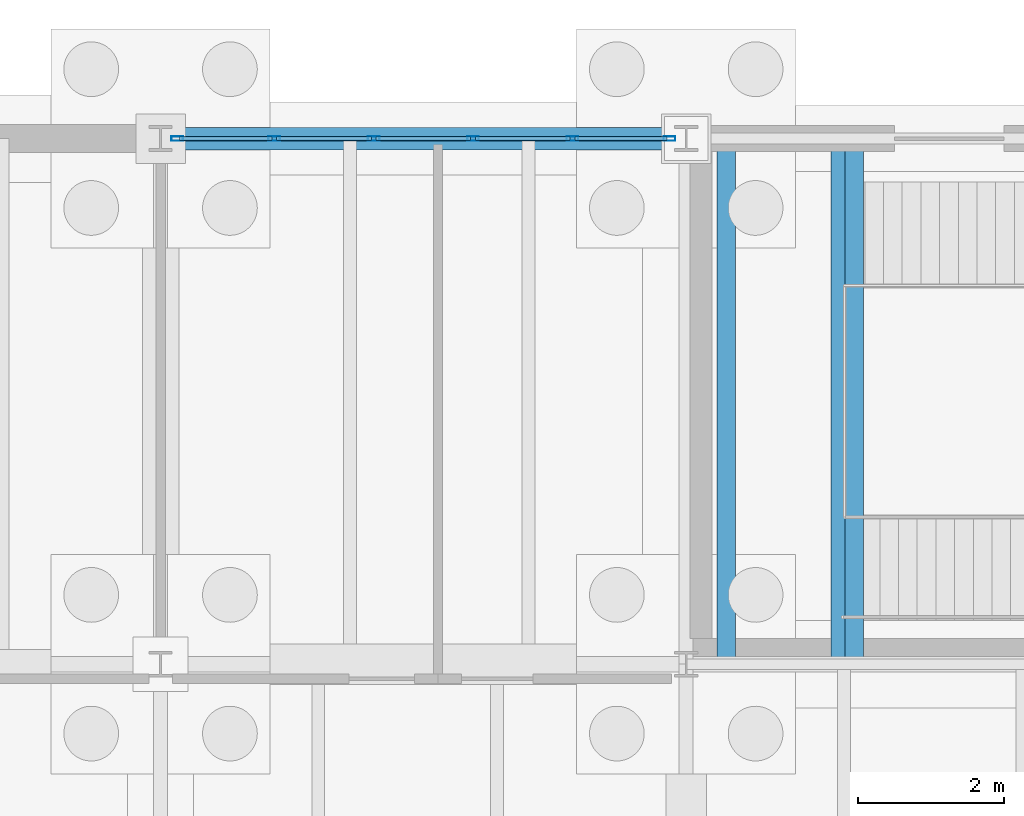
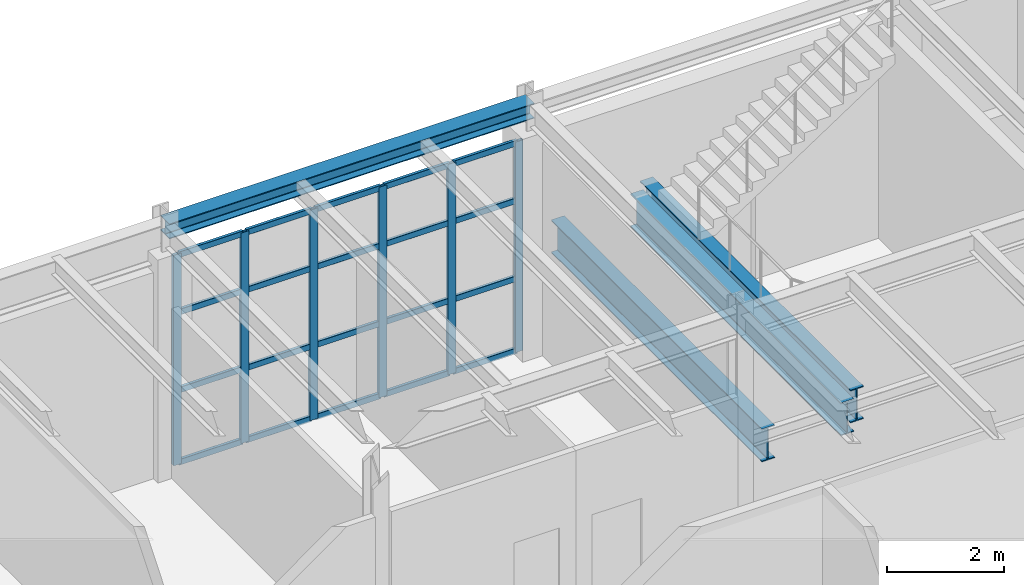
# One storey, part 80 of 293: 26 members, 4 beams, 1 element without a shape of its own.
"""IFC4 building model written with IfcOpenShell, lengths in metres."""

from ifc_helpers import new_model, si_unit, direction, frame, origin, origin_2d, place, context, subcontext, project, spatial, hollow_rectangle, i_section, extrude, material, layer, layer_set, material_profile, profile_set, type_object, element, aggregate, save


model = new_model("IFC4")

# Units and contexts
model_context = context("Model", 3, precision=1e-05, world=origin(), true_north=direction((0.0, 1.0)))
body_context = subcontext(model_context, "Body", "Model", "MODEL_VIEW")
ifc_project = project(units=[si_unit("LENGTHUNIT", "METRE"), si_unit("AREAUNIT", "SQUARE_METRE"), si_unit("VOLUMEUNIT", "CUBIC_METRE"), si_unit("PLANEANGLEUNIT", "RADIAN"), si_unit("MASSUNIT", "GRAM", prefix="KILO")], contexts=[model_context])

# Site, building, storey
site_placement = place(None, origin())
site = spatial("IfcSite", under=ifc_project, at=site_placement, CompositionType="ELEMENT")
building_placement = place(site_placement, origin())
building = spatial("IfcBuilding", under=site, at=building_placement, Name="Kemerveld Promenade Tramway Depot", CompositionType="ELEMENT")
storey_placement = place(building_placement, origin())
storey = spatial("IfcBuildingStorey", under=building, at=storey_placement, Name="L00", CompositionType="ELEMENT", Elevation=0.0)

# Beams
ifc_material_1 = material(Name="Steel S355", Category="steel")
ifc_material_profile_1 = material_profile(ifc_material_1, i_section(OverallWidth=0.25439453125, OverallDepth=0.6875, WebThickness=0.01318359375, FlangeThickness=0.02099609375, FilletRadius=0.01513671875, at=origin_2d()), Name="686x254x152 UB")
ifc_profile_set_1 = profile_set([ifc_material_profile_1], Name="Steel S355")
beam_type_1 = type_object("IfcBeamType", Name="BM-G03", PredefinedType="BEAM", material=ifc_profile_set_1)
for number, where, z_axis, x_axis, name in (
    (1, (86.949951171875, 21.60009765625, 2.15625), (0.0, 1.0, 0.0), (-1.0, 0.0, 0.0), "BM-HL-ST-04-L00-W"),
    (2, (88.510009765625, 21.60009765625, 2.15625), (0.0, 1.0, 0.0), (-1.0, 0.0, 0.0), "BM-HL-ST-04-L00-M"),
    (3, (88.699951171875, 21.60009765625, 2.356201171875), (0.0, 1.0, 0.0), (-1.0, 0.0, 0.0), "BM-HL-ST-04-L00-F2"),
):
    element("IfcBeam", number, at=place(storey_placement, frame(where, z_axis=z_axis, x_axis=x_axis)), inside=storey, type_object=beam_type_1, Name=name, PredefinedType="BEAM", context=body_context, shape_type="SweptSolid", body=[
        extrude(i_section(OverallWidth=0.25439453125, OverallDepth=0.6875, WebThickness=0.01318359375, FlangeThickness=0.02099609375, FilletRadius=0.01513671875, at=origin_2d()), origin(), (0.0, 0.0, 1.0), 7.199951171875),
    ])
ifc_material_profile_2 = material_profile(ifc_material_1, i_section(OverallWidth=0.307373046875, OverallDepth=0.314453125, WebThickness=0.011962890625, FlangeThickness=0.018798828125, FilletRadius=0.01513671875, at=origin_2d()), Name="305x305x118 UC")
ifc_profile_set_2 = profile_set([ifc_material_profile_2], Name="Steel S355")
beam_type_2 = type_object("IfcBeamType", Name="BM-G12", PredefinedType="BEAM", material=ifc_profile_set_2)
beam_placement = place(storey_placement, frame((79.199951171875, 28.800048828125, 5.017578125), z_axis=(1.0, 0.0, 0.0), x_axis=(0.0, 1.0, 0.0)))
element("IfcBeam", 4, at=beam_placement, inside=storey, type_object=beam_type_2, Name="BMX-L00-12-13-E", PredefinedType="BEAM", context=body_context, shape_type="SweptSolid", body=[
    extrude(i_section(OverallWidth=0.307373046875, OverallDepth=0.314453125, WebThickness=0.011962890625, FlangeThickness=0.018798828125, FilletRadius=0.01513671875, at=origin_2d()), origin(), (0.0, 0.0, 1.0), 7.199951171875),
])

# Curtain wall, members
ifc_material_2 = material(Name="Bronze anodised aluminium and solar glass", Category="aluminium")
ifc_layer = layer(ifc_material_2, 0.159912109375)
ifc_layer_set = layer_set([ifc_layer], Name="CW-SYS-07")
curtain_wall_type = type_object("IfcCurtainWallType", Name="CW-SYS-07", PredefinedType="USERDEFINED", material=ifc_layer_set)
curtain_wall_placement = place(storey_placement, origin())
curtain_wall = element("IfcCurtainWall", 5, at=curtain_wall_placement, inside=storey, type_object=curtain_wall_type, Name="CW-L00-V4N-04", ObjectType="GLAZED_CURTAIN_WALL", PredefinedType="USERDEFINED")
ifc_material_3 = material(Name="Bronze anodised aluminium", Category="aluminium")
ifc_material_profile_3 = material_profile(ifc_material_3, hollow_rectangle(XDim=0.06494140625, YDim=0.159912109375, WallThickness=0.00390625, InnerFilletRadius=0.001953125, OuterFilletRadius=0.00390625, at=origin_2d()), Name="CW-MUL-160x65")
ifc_profile_set_3 = profile_set([ifc_material_profile_3], Name="Bronze anodised aluminium")
member_type_1 = type_object("IfcMemberType", Name="CW-MUL-A", PredefinedType="MULLION", material=ifc_profile_set_3)
member_1_placement = place(storey_placement, frame((79.4287109375, 28.800048828125, 0.0), z_axis=(0.0, 0.0, 1.0), x_axis=(0.0, 1.0, 0.0)))
member_1 = element("IfcMember", 6, at=member_1_placement, type_object=member_type_1, Name="CW07 mullion 1", PredefinedType="MULLION", context=body_context, shape_type="SweptSolid", body=[
    extrude(hollow_rectangle(XDim=0.06494140625, YDim=0.159912109375, WallThickness=0.00390625, InnerFilletRadius=0.001953125, OuterFilletRadius=0.00390625, at=origin_2d()), origin(), (0.0, 0.0, 1.0), 4.392822265625),
])
member_2_placement = place(storey_placement, frame((80.7578125, 28.800048828125, 0.0), z_axis=(0.0, 0.0, 1.0), x_axis=(0.0, 1.0, 0.0)))
member_2 = element("IfcMember", 7, at=member_2_placement, type_object=member_type_1, Name="CW07 mullion 2", PredefinedType="MULLION", context=body_context, shape_type="SweptSolid", body=[
    extrude(hollow_rectangle(XDim=0.06494140625, YDim=0.159912109375, WallThickness=0.00390625, InnerFilletRadius=0.001953125, OuterFilletRadius=0.00390625, at=origin_2d()), origin(), (0.0, 0.0, 1.0), 4.392822265625),
])
member_3_placement = place(storey_placement, frame((82.119140625, 28.800048828125, 0.0), z_axis=(0.0, 0.0, 1.0), x_axis=(0.0, 1.0, 0.0)))
member_3 = element("IfcMember", 8, at=member_3_placement, type_object=member_type_1, Name="CW07 mullion 3", PredefinedType="MULLION", context=body_context, shape_type="SweptSolid", body=[
    extrude(hollow_rectangle(XDim=0.06494140625, YDim=0.159912109375, WallThickness=0.00390625, InnerFilletRadius=0.001953125, OuterFilletRadius=0.00390625, at=origin_2d()), origin(), (0.0, 0.0, 1.0), 4.392822265625),
])
member_4_placement = place(storey_placement, frame((83.480712890625, 28.800048828125, 0.0), z_axis=(0.0, 0.0, 1.0), x_axis=(0.0, 1.0, 0.0)))
member_4 = element("IfcMember", 9, at=member_4_placement, type_object=member_type_1, Name="CW07 mullion 4", PredefinedType="MULLION", context=body_context, shape_type="SweptSolid", body=[
    extrude(hollow_rectangle(XDim=0.06494140625, YDim=0.159912109375, WallThickness=0.00390625, InnerFilletRadius=0.001953125, OuterFilletRadius=0.00390625, at=origin_2d()), origin(), (0.0, 0.0, 1.0), 4.392822265625),
])
member_5_placement = place(storey_placement, frame((84.84228515625, 28.800048828125, 0.0), z_axis=(0.0, 0.0, 1.0), x_axis=(0.0, 1.0, 0.0)))
member_5 = element("IfcMember", 10, at=member_5_placement, type_object=member_type_1, Name="CW07 mullion 5", PredefinedType="MULLION", context=body_context, shape_type="SweptSolid", body=[
    extrude(hollow_rectangle(XDim=0.06494140625, YDim=0.159912109375, WallThickness=0.00390625, InnerFilletRadius=0.001953125, OuterFilletRadius=0.00390625, at=origin_2d()), origin(), (0.0, 0.0, 1.0), 4.392822265625),
])
member_6_placement = place(storey_placement, frame((86.171142578125, 28.800048828125, 0.0), z_axis=(0.0, 0.0, 1.0), x_axis=(0.0, 1.0, 0.0)))
member_6 = element("IfcMember", 11, at=member_6_placement, type_object=member_type_1, Name="CW07 mullion 6", PredefinedType="MULLION", context=body_context, shape_type="SweptSolid", body=[
    extrude(hollow_rectangle(XDim=0.06494140625, YDim=0.159912109375, WallThickness=0.00390625, InnerFilletRadius=0.001953125, OuterFilletRadius=0.00390625, at=origin_2d()), origin(), (0.0, 0.0, 1.0), 4.392822265625),
])
ifc_material_profile_4 = material_profile(ifc_material_3, hollow_rectangle(XDim=0.06005859375, YDim=0.1201171875, WallThickness=0.00390625, InnerFilletRadius=0.001953125, OuterFilletRadius=0.00390625, at=origin_2d()), Name="CW-TRN-120x60")
ifc_profile_set_4 = profile_set([ifc_material_profile_4], Name="Bronze anodised aluminium")
member_type_2 = type_object("IfcMemberType", Name="CW-TRN-A", PredefinedType="USERDEFINED", material=ifc_profile_set_4)
member_7_placement = place(storey_placement, frame((79.461181640625, 28.800048828125, 0.030029296875), z_axis=(1.0, 0.0, 0.0), x_axis=(0.0, 1.0, 0.0)))
member_7 = element("IfcMember", 12, at=member_7_placement, type_object=member_type_2, Name="CW07 transom 1.1", ObjectType="TRANSOM", PredefinedType="USERDEFINED", context=body_context, shape_type="SweptSolid", body=[
    extrude(hollow_rectangle(XDim=0.06005859375, YDim=0.1201171875, WallThickness=0.00390625, InnerFilletRadius=0.001953125, OuterFilletRadius=0.00390625, at=origin_2d()), origin(), (0.0, 0.0, 1.0), 1.26416015625),
])
member_8_placement = place(storey_placement, frame((79.461181640625, 28.800048828125, 1.537109375), z_axis=(1.0, 0.0, 0.0), x_axis=(0.0, 1.0, 0.0)))
member_8 = element("IfcMember", 13, at=member_8_placement, type_object=member_type_2, Name="CW07 transom 1.2", ObjectType="TRANSOM", PredefinedType="USERDEFINED", context=body_context, shape_type="SweptSolid", body=[
    extrude(hollow_rectangle(XDim=0.06005859375, YDim=0.1201171875, WallThickness=0.00390625, InnerFilletRadius=0.001953125, OuterFilletRadius=0.00390625, at=origin_2d()), origin(), (0.0, 0.0, 1.0), 1.26416015625),
])
member_9_placement = place(storey_placement, frame((79.461181640625, 28.800048828125, 3.1630859375), z_axis=(1.0, 0.0, 0.0), x_axis=(0.0, 1.0, 0.0)))
member_9 = element("IfcMember", 14, at=member_9_placement, type_object=member_type_2, Name="CW07 transom 1.3", ObjectType="TRANSOM", PredefinedType="USERDEFINED", context=body_context, shape_type="SweptSolid", body=[
    extrude(hollow_rectangle(XDim=0.06005859375, YDim=0.1201171875, WallThickness=0.00390625, InnerFilletRadius=0.001953125, OuterFilletRadius=0.00390625, at=origin_2d()), origin(), (0.0, 0.0, 1.0), 1.26416015625),
])
member_10_placement = place(storey_placement, frame((79.461181640625, 28.800048828125, 4.36279296875), z_axis=(1.0, 0.0, 0.0), x_axis=(0.0, 1.0, 0.0)))
member_10 = element("IfcMember", 15, at=member_10_placement, type_object=member_type_2, Name="CW07 transom 1.4", ObjectType="TRANSOM", PredefinedType="USERDEFINED", context=body_context, shape_type="SweptSolid", body=[
    extrude(hollow_rectangle(XDim=0.06005859375, YDim=0.1201171875, WallThickness=0.00390625, InnerFilletRadius=0.001953125, OuterFilletRadius=0.00390625, at=origin_2d()), origin(), (0.0, 0.0, 1.0), 1.26416015625),
])
member_11_placement = place(storey_placement, frame((80.790283203125, 28.800048828125, 0.030029296875), z_axis=(1.0, 0.0, 0.0), x_axis=(0.0, 1.0, 0.0)))
member_11 = element("IfcMember", 16, at=member_11_placement, type_object=member_type_2, Name="CW07 transom 2.1", ObjectType="TRANSOM", PredefinedType="USERDEFINED", context=body_context, shape_type="SweptSolid", body=[
    extrude(hollow_rectangle(XDim=0.06005859375, YDim=0.1201171875, WallThickness=0.00390625, InnerFilletRadius=0.001953125, OuterFilletRadius=0.00390625, at=origin_2d()), origin(), (0.0, 0.0, 1.0), 1.29638671875),
])
member_12_placement = place(storey_placement, frame((80.790283203125, 28.800048828125, 1.537109375), z_axis=(1.0, 0.0, 0.0), x_axis=(0.0, 1.0, 0.0)))
member_12 = element("IfcMember", 17, at=member_12_placement, type_object=member_type_2, Name="CW07 transom 2.2", ObjectType="TRANSOM", PredefinedType="USERDEFINED", context=body_context, shape_type="SweptSolid", body=[
    extrude(hollow_rectangle(XDim=0.06005859375, YDim=0.1201171875, WallThickness=0.00390625, InnerFilletRadius=0.001953125, OuterFilletRadius=0.00390625, at=origin_2d()), origin(), (0.0, 0.0, 1.0), 1.29638671875),
])
member_13_placement = place(storey_placement, frame((80.790283203125, 28.800048828125, 3.1630859375), z_axis=(1.0, 0.0, 0.0), x_axis=(0.0, 1.0, 0.0)))
member_13 = element("IfcMember", 18, at=member_13_placement, type_object=member_type_2, Name="CW07 transom 2.3", ObjectType="TRANSOM", PredefinedType="USERDEFINED", context=body_context, shape_type="SweptSolid", body=[
    extrude(hollow_rectangle(XDim=0.06005859375, YDim=0.1201171875, WallThickness=0.00390625, InnerFilletRadius=0.001953125, OuterFilletRadius=0.00390625, at=origin_2d()), origin(), (0.0, 0.0, 1.0), 1.29638671875),
])
member_14_placement = place(storey_placement, frame((80.790283203125, 28.800048828125, 4.36279296875), z_axis=(1.0, 0.0, 0.0), x_axis=(0.0, 1.0, 0.0)))
member_14 = element("IfcMember", 19, at=member_14_placement, type_object=member_type_2, Name="CW07 transom 2.4", ObjectType="TRANSOM", PredefinedType="USERDEFINED", context=body_context, shape_type="SweptSolid", body=[
    extrude(hollow_rectangle(XDim=0.06005859375, YDim=0.1201171875, WallThickness=0.00390625, InnerFilletRadius=0.001953125, OuterFilletRadius=0.00390625, at=origin_2d()), origin(), (0.0, 0.0, 1.0), 1.29638671875),
])
member_15_placement = place(storey_placement, frame((82.15185546875, 28.800048828125, 0.030029296875), z_axis=(1.0, 0.0, 0.0), x_axis=(0.0, 1.0, 0.0)))
member_15 = element("IfcMember", 20, at=member_15_placement, type_object=member_type_2, Name="CW07 transom 3.1", ObjectType="TRANSOM", PredefinedType="USERDEFINED", context=body_context, shape_type="SweptSolid", body=[
    extrude(hollow_rectangle(XDim=0.06005859375, YDim=0.1201171875, WallThickness=0.00390625, InnerFilletRadius=0.001953125, OuterFilletRadius=0.00390625, at=origin_2d()), origin(), (0.0, 0.0, 1.0), 1.29638671875),
])
member_16_placement = place(storey_placement, frame((82.15185546875, 28.800048828125, 1.537109375), z_axis=(1.0, 0.0, 0.0), x_axis=(0.0, 1.0, 0.0)))
member_16 = element("IfcMember", 21, at=member_16_placement, type_object=member_type_2, Name="CW07 transom 3.2", ObjectType="TRANSOM", PredefinedType="USERDEFINED", context=body_context, shape_type="SweptSolid", body=[
    extrude(hollow_rectangle(XDim=0.06005859375, YDim=0.1201171875, WallThickness=0.00390625, InnerFilletRadius=0.001953125, OuterFilletRadius=0.00390625, at=origin_2d()), origin(), (0.0, 0.0, 1.0), 1.29638671875),
])
member_17_placement = place(storey_placement, frame((82.15185546875, 28.800048828125, 3.1630859375), z_axis=(1.0, 0.0, 0.0), x_axis=(0.0, 1.0, 0.0)))
member_17 = element("IfcMember", 22, at=member_17_placement, type_object=member_type_2, Name="CW07 transom 3.3", ObjectType="TRANSOM", PredefinedType="USERDEFINED", context=body_context, shape_type="SweptSolid", body=[
    extrude(hollow_rectangle(XDim=0.06005859375, YDim=0.1201171875, WallThickness=0.00390625, InnerFilletRadius=0.001953125, OuterFilletRadius=0.00390625, at=origin_2d()), origin(), (0.0, 0.0, 1.0), 1.29638671875),
])
member_18_placement = place(storey_placement, frame((82.15185546875, 28.800048828125, 4.36279296875), z_axis=(1.0, 0.0, 0.0), x_axis=(0.0, 1.0, 0.0)))
member_18 = element("IfcMember", 23, at=member_18_placement, type_object=member_type_2, Name="CW07 transom 3.4", ObjectType="TRANSOM", PredefinedType="USERDEFINED", context=body_context, shape_type="SweptSolid", body=[
    extrude(hollow_rectangle(XDim=0.06005859375, YDim=0.1201171875, WallThickness=0.00390625, InnerFilletRadius=0.001953125, OuterFilletRadius=0.00390625, at=origin_2d()), origin(), (0.0, 0.0, 1.0), 1.29638671875),
])
member_19_placement = place(storey_placement, frame((83.51318359375, 28.800048828125, 0.030029296875), z_axis=(1.0, 0.0, 0.0), x_axis=(0.0, 1.0, 0.0)))
member_19 = element("IfcMember", 24, at=member_19_placement, type_object=member_type_2, Name="CW07 transom 4.1", ObjectType="TRANSOM", PredefinedType="USERDEFINED", context=body_context, shape_type="SweptSolid", body=[
    extrude(hollow_rectangle(XDim=0.06005859375, YDim=0.1201171875, WallThickness=0.00390625, InnerFilletRadius=0.001953125, OuterFilletRadius=0.00390625, at=origin_2d()), origin(), (0.0, 0.0, 1.0), 1.296630859375),
])
member_20_placement = place(storey_placement, frame((83.51318359375, 28.800048828125, 1.537109375), z_axis=(1.0, 0.0, 0.0), x_axis=(0.0, 1.0, 0.0)))
member_20 = element("IfcMember", 25, at=member_20_placement, type_object=member_type_2, Name="CW07 transom 4.2", ObjectType="TRANSOM", PredefinedType="USERDEFINED", context=body_context, shape_type="SweptSolid", body=[
    extrude(hollow_rectangle(XDim=0.06005859375, YDim=0.1201171875, WallThickness=0.00390625, InnerFilletRadius=0.001953125, OuterFilletRadius=0.00390625, at=origin_2d()), origin(), (0.0, 0.0, 1.0), 1.296630859375),
])
member_21_placement = place(storey_placement, frame((83.51318359375, 28.800048828125, 3.1630859375), z_axis=(1.0, 0.0, 0.0), x_axis=(0.0, 1.0, 0.0)))
member_21 = element("IfcMember", 26, at=member_21_placement, type_object=member_type_2, Name="CW07 transom 4.3", ObjectType="TRANSOM", PredefinedType="USERDEFINED", context=body_context, shape_type="SweptSolid", body=[
    extrude(hollow_rectangle(XDim=0.06005859375, YDim=0.1201171875, WallThickness=0.00390625, InnerFilletRadius=0.001953125, OuterFilletRadius=0.00390625, at=origin_2d()), origin(), (0.0, 0.0, 1.0), 1.296630859375),
])
member_22_placement = place(storey_placement, frame((83.51318359375, 28.800048828125, 4.36279296875), z_axis=(1.0, 0.0, 0.0), x_axis=(0.0, 1.0, 0.0)))
member_22 = element("IfcMember", 27, at=member_22_placement, type_object=member_type_2, Name="CW07 transom 4.4", ObjectType="TRANSOM", PredefinedType="USERDEFINED", context=body_context, shape_type="SweptSolid", body=[
    extrude(hollow_rectangle(XDim=0.06005859375, YDim=0.1201171875, WallThickness=0.00390625, InnerFilletRadius=0.001953125, OuterFilletRadius=0.00390625, at=origin_2d()), origin(), (0.0, 0.0, 1.0), 1.296630859375),
])
member_23_placement = place(storey_placement, frame((84.874755859375, 28.800048828125, 0.030029296875), z_axis=(1.0, 0.0, 0.0), x_axis=(0.0, 1.0, 0.0)))
member_23 = element("IfcMember", 28, at=member_23_placement, type_object=member_type_2, Name="CW07 transom 5.1", ObjectType="TRANSOM", PredefinedType="USERDEFINED", context=body_context, shape_type="SweptSolid", body=[
    extrude(hollow_rectangle(XDim=0.06005859375, YDim=0.1201171875, WallThickness=0.00390625, InnerFilletRadius=0.001953125, OuterFilletRadius=0.00390625, at=origin_2d()), origin(), (0.0, 0.0, 1.0), 1.263916015625),
])
member_24_placement = place(storey_placement, frame((84.874755859375, 28.800048828125, 1.537109375), z_axis=(1.0, 0.0, 0.0), x_axis=(0.0, 1.0, 0.0)))
member_24 = element("IfcMember", 29, at=member_24_placement, type_object=member_type_2, Name="CW07 transom 5.2", ObjectType="TRANSOM", PredefinedType="USERDEFINED", context=body_context, shape_type="SweptSolid", body=[
    extrude(hollow_rectangle(XDim=0.06005859375, YDim=0.1201171875, WallThickness=0.00390625, InnerFilletRadius=0.001953125, OuterFilletRadius=0.00390625, at=origin_2d()), origin(), (0.0, 0.0, 1.0), 1.263916015625),
])
member_25_placement = place(storey_placement, frame((84.874755859375, 28.800048828125, 3.1630859375), z_axis=(1.0, 0.0, 0.0), x_axis=(0.0, 1.0, 0.0)))
member_25 = element("IfcMember", 30, at=member_25_placement, type_object=member_type_2, Name="CW07 transom 5.3", ObjectType="TRANSOM", PredefinedType="USERDEFINED", context=body_context, shape_type="SweptSolid", body=[
    extrude(hollow_rectangle(XDim=0.06005859375, YDim=0.1201171875, WallThickness=0.00390625, InnerFilletRadius=0.001953125, OuterFilletRadius=0.00390625, at=origin_2d()), origin(), (0.0, 0.0, 1.0), 1.263916015625),
])
member_26_placement = place(storey_placement, frame((84.874755859375, 28.800048828125, 4.36279296875), z_axis=(1.0, 0.0, 0.0), x_axis=(0.0, 1.0, 0.0)))
member_26 = element("IfcMember", 31, at=member_26_placement, type_object=member_type_2, Name="CW07 transom 5.4", ObjectType="TRANSOM", PredefinedType="USERDEFINED", context=body_context, shape_type="SweptSolid", body=[
    extrude(hollow_rectangle(XDim=0.06005859375, YDim=0.1201171875, WallThickness=0.00390625, InnerFilletRadius=0.001953125, OuterFilletRadius=0.00390625, at=origin_2d()), origin(), (0.0, 0.0, 1.0), 1.263916015625),
])
aggregate(curtain_wall, [member_1, member_2, member_3, member_4, member_5, member_6, member_7, member_8, member_9, member_10, member_11, member_12, member_13, member_14, member_15, member_16, member_17, member_18, member_19, member_20, member_21, member_22, member_23, member_24, member_25, member_26])

save(model, "model.ifc")
